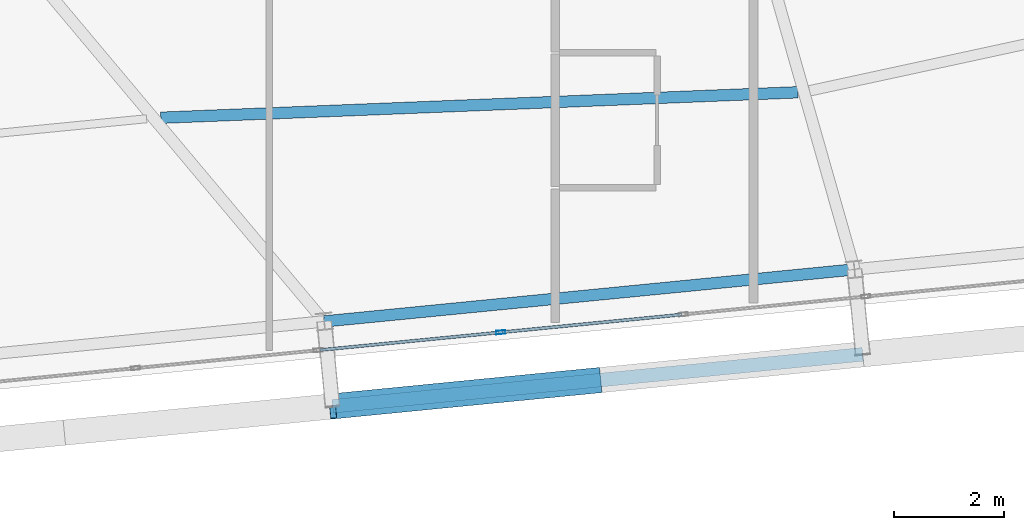
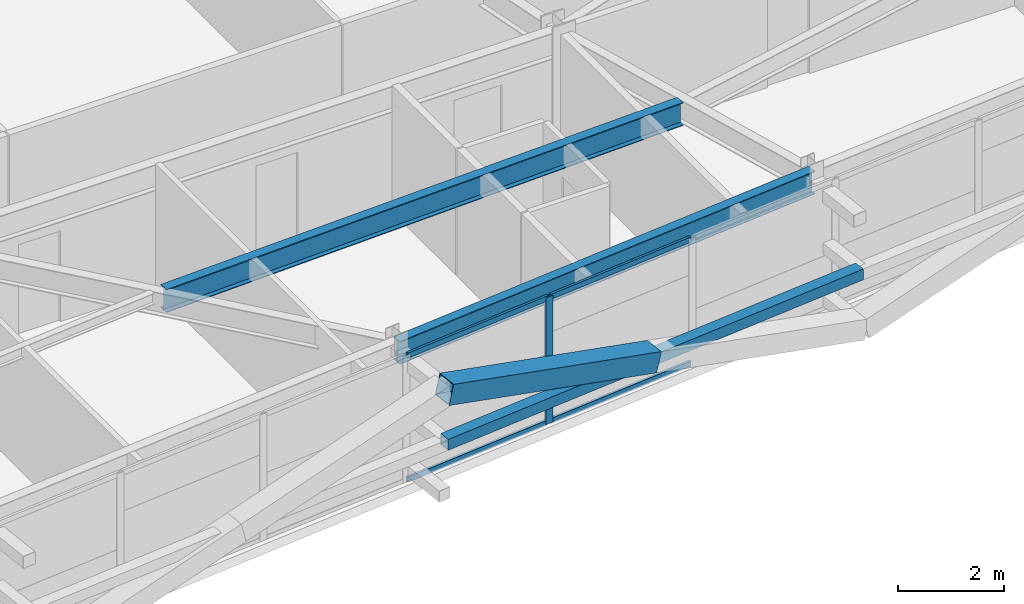
# One storey, part 11 of 52: 7 members, 2 beams, 1 element without a shape of its own.
"""IFC4 building model written with IfcOpenShell, lengths in metres."""

from ifc_helpers import new_model, si_unit, direction, frame, origin, origin_2d, place, context, subcontext, project, spatial, hollow_rectangle, i_section, extrude, source, transform, mapped, material, layer, layer_set, material_profile, profile_set, type_object, element, aggregate, save


model = new_model("IFC4")

# Units and contexts
model_context = context("Model", 3, precision=1e-05, world=origin(), true_north=direction((0.0, 1.0)))
body_context = subcontext(model_context, "Body", "Model", "MODEL_VIEW")
ifc_project = project(units=[si_unit("LENGTHUNIT", "METRE"), si_unit("AREAUNIT", "SQUARE_METRE"), si_unit("VOLUMEUNIT", "CUBIC_METRE"), si_unit("PLANEANGLEUNIT", "RADIAN"), si_unit("MASSUNIT", "GRAM", prefix="KILO")], contexts=[model_context])

# Site, building, storey
site_placement = place(None, origin())
site = spatial("IfcSite", under=ifc_project, at=site_placement, CompositionType="ELEMENT")
building_placement = place(site_placement, origin())
building = spatial("IfcBuilding", under=site, at=building_placement, Name="Taldren Reach Tower", CompositionType="ELEMENT")
storey_placement = place(building_placement, frame((0.0, 0.0, 96.60009765625)))
storey = spatial("IfcBuildingStorey", under=building, at=storey_placement, Name="L29", CompositionType="ELEMENT", Elevation=96.60009765625)

# Beams
ifc_material_1 = material(Name="Steel Gr 350 (350PLUS)", Category="steel")
ifc_material_profile_1 = material_profile(ifc_material_1, i_section(OverallWidth=0.208984375, OverallDepth=0.528076171875, WebThickness=0.009521484375, FlangeThickness=0.01318359375, at=origin_2d()), Name="530UB82.0")
ifc_profile_set_1 = profile_set([ifc_material_profile_1], Name="Steel Gr 350 (350PLUS)")
beam_type_1 = type_object("IfcBeamType", Name="SP-UB530B", PredefinedType="SPANDREL", material=ifc_profile_set_1)
shared_shape_1 = source(origin(), body_context, "Body", "SweptSolid", [
    extrude(i_section(OverallWidth=0.208984375, OverallDepth=0.528076171875, WebThickness=0.009521484375, FlangeThickness=0.01318359375, at=origin_2d()), origin(), (0.0, 0.0, 1.0), 9.679931640625),
])
beam_1_placement = place(storey_placement, frame((34.20166015625, 1.809326171875, 2.666015625), z_axis=(0.995227612658, 0.097580730699, 0.0), x_axis=(-0.097580730699, 0.995227612658, 0.0)))
element("IfcBeam", 1, at=beam_1_placement, inside=storey, type_object=beam_type_1, Name="Perimeter spandrel B2 S3-S4 L29", PredefinedType="SPANDREL", context=body_context, shape_type="MappedRepresentation", body=[
    mapped(shared_shape_1, transform((0.0, 0.0, 0.0), scale=1.0)),
])
ifc_material_profile_2 = material_profile(ifc_material_1, i_section(OverallWidth=0.208984375, OverallDepth=0.532958984375, WebThickness=0.01025390625, FlangeThickness=0.015625, at=origin_2d()), Name="530UB92.4")
ifc_profile_set_2 = profile_set([ifc_material_profile_2], Name="Steel Gr 350 (350PLUS)")
beam_type_2 = type_object("IfcBeamType", Name="BM-UB530A", PredefinedType="BEAM", material=ifc_profile_set_2)
shared_shape_2 = source(origin(), body_context, "Body", "SweptSolid", [
    extrude(i_section(OverallWidth=0.208984375, OverallDepth=0.532958984375, WebThickness=0.01025390625, FlangeThickness=0.015625, at=origin_2d()), origin(), (0.0, 0.0, 1.0), 11.586669921875),
])
beam_2_placement = place(storey_placement, frame((31.23291015625, 5.510009765625, 2.663330078125), z_axis=(0.999202506312, 0.039929329821, 0.0), x_axis=(-0.039929329821, 0.999202506312, 0.0)))
element("IfcBeam", 2, at=beam_2_placement, inside=storey, type_object=beam_type_2, Name="Secondary floor beam B2 J3 L29", PredefinedType="BEAM", context=body_context, shape_type="MappedRepresentation", body=[
    mapped(shared_shape_2, transform((0.0, 0.0, 0.0), scale=1.0)),
])

# Members
ifc_material_2 = material(Name="Steel Gr 450 (C450L0)", Category="steel")
ifc_material_profile_3 = material_profile(ifc_material_2, hollow_rectangle(XDim=0.4599609375, YDim=0.4599609375, WallThickness=0.01611328125, at=origin_2d()), Name="460x460x16.0SHS")
ifc_profile_set_3 = profile_set([ifc_material_profile_3], Name="Steel Gr 450 (C450L0)")
member_type_1 = type_object("IfcMemberType", Name="MB-EXO457", PredefinedType="BRACE", material=ifc_profile_set_3)
shared_shape_3 = source(origin(), body_context, "Body", "SweptSolid", [
    extrude(hollow_rectangle(XDim=0.4599609375, YDim=0.4599609375, WallThickness=0.01611328125, at=origin_2d()), origin(), (0.0, 0.0, 1.0), 4.990234375),
])
member_1_placement = place(storey_placement, frame((39.169921875, 0.739013671875, 1.434814453125), z_axis=(-0.965271056716, -0.094667992638, 0.243494883389), x_axis=(0.097605711627, -0.995225162995, 0.0)))
element("IfcMember", 3, at=member_1_placement, inside=storey, type_object=member_type_1, Name="Exoskeleton Diagrid Brace B2-S3 L29", PredefinedType="BRACE", context=body_context, shape_type="MappedRepresentation", body=[
    mapped(shared_shape_3, transform((0.0, 0.0, 0.0), scale=1.0)),
])
ifc_material_3 = material(Name="Steel Gr 350 (C350L0)", Category="steel")
ifc_material_profile_4 = material_profile(ifc_material_3, hollow_rectangle(XDim=0.25, YDim=0.25, WallThickness=0.010009765625, at=origin_2d()), Name="250x250x10.0SHS")
ifc_profile_set_4 = profile_set([ifc_material_profile_4], Name="Steel Gr 350 (C350L0)")
member_type_2 = type_object("IfcMemberType", Name="MB-POST250", PredefinedType="POST", material=ifc_profile_set_4)
shared_shape_4 = source(origin(), body_context, "Body", "SweptSolid", [
    extrude(hollow_rectangle(XDim=0.25, YDim=0.25, WallThickness=0.010009765625, at=origin_2d()), origin(), (0.0, 0.0, 1.0), 9.679931640625),
])
member_2_placement = place(storey_placement, frame((34.35302734375, 0.2666015625, 1.434814453125), z_axis=(0.995225162995, 0.097605711627, 0.0), x_axis=(-0.097605711627, 0.995225162995, 0.0)))
element("IfcMember", 4, at=member_2_placement, inside=storey, type_object=member_type_2, Name="Exoskeleton mid-height ring chord B2-S3 L29", PredefinedType="POST", context=body_context, shape_type="MappedRepresentation", body=[
    mapped(shared_shape_4, transform((0.0, 0.0, 0.0), scale=1.0)),
])

# Curtain wall, members
ifc_material_4 = material(Name="Aluminium and Low-E Glass Unitised System", Category="aluminium")
ifc_layer = layer(ifc_material_4, 0.159912109375)
ifc_layer_set = layer_set([ifc_layer], Name="Aluminium and Low-E Glass Unitised System")
curtain_wall_type = type_object("IfcCurtainWallType", Name="CW-SYS-3", PredefinedType="NOTDEFINED", material=ifc_layer_set)
curtain_wall_placement = place(storey_placement, origin())
curtain_wall = element("IfcCurtainWall", 5, at=curtain_wall_placement, inside=storey, type_object=curtain_wall_type, Name="Unitised curtain wall CW-L29-S", PredefinedType="NOTDEFINED")
ifc_material_5 = material(Name="Anodised Aluminium 6063-T6", Category="aluminium")
ifc_material_profile_5 = material_profile(ifc_material_5, hollow_rectangle(XDim=0.06494140625, YDim=0.1650390625, WallThickness=0.00390625, at=origin_2d()), Name="ALU-165x65x4RHS")
ifc_profile_set_5 = profile_set([ifc_material_profile_5], Name="Anodised Aluminium 6063-T6")
member_type_3 = type_object("IfcMemberType", Name="CW-MUL-165", PredefinedType="MULLION", material=ifc_profile_set_5)
shared_shape_5 = source(origin(), body_context, "Body", "SweptSolid", [
    extrude(hollow_rectangle(XDim=0.06494140625, YDim=0.1650390625, WallThickness=0.00390625, at=origin_2d()), origin(), (0.0, 0.0, 1.0), 2.929931640625),
])
member_3_placement = place(storey_placement, frame((37.40966796875, 1.611328125, 0.0), z_axis=(0.0, 0.0, 1.0), x_axis=(-0.097582999046, 0.995227390247, 0.0)))
member_3 = element("IfcMember", 6, at=member_3_placement, type_object=member_type_3, Name="CW-3 mullion 8", PredefinedType="MULLION", context=body_context, shape_type="MappedRepresentation", body=[
    mapped(shared_shape_5, transform((0.0, 0.0, 0.0), scale=1.0)),
])
ifc_material_profile_6 = material_profile(ifc_material_5, hollow_rectangle(XDim=0.054931640625, YDim=0.1201171875, WallThickness=0.0029296875, at=origin_2d()), Name="ALU-120x55x3RHS")
ifc_profile_set_6 = profile_set([ifc_material_profile_6], Name="Anodised Aluminium 6063-T6")
member_type_4 = type_object("IfcMemberType", Name="CW-TRN-135", PredefinedType="USERDEFINED", material=ifc_profile_set_6)
shared_shape_6 = source(origin(), body_context, "Body", "SweptSolid", [
    extrude(hollow_rectangle(XDim=0.054931640625, YDim=0.1201171875, WallThickness=0.0029296875, at=origin_2d()), origin(), (0.0, 0.0, 1.0), 3.268310546875),
])
member_4_placement = place(storey_placement, frame((34.124755859375, 1.289306640625, 0.02734375), z_axis=(0.99522980512, 0.097558367146, 0.0), x_axis=(-0.097558367146, 0.99522980512, 0.0)))
member_4 = element("IfcMember", 7, at=member_4_placement, type_object=member_type_4, Name="CW-3 transom 7.1", ObjectType="TRANSOM", PredefinedType="USERDEFINED", context=body_context, shape_type="MappedRepresentation", body=[
    mapped(shared_shape_6, transform((0.0, 0.0, 0.0), scale=1.0)),
])
member_5_placement = place(storey_placement, frame((34.124755859375, 1.289306640625, 2.90234375), z_axis=(0.99522980512, 0.097558367146, 0.0), x_axis=(-0.097558367146, 0.99522980512, 0.0)))
member_5 = element("IfcMember", 8, at=member_5_placement, type_object=member_type_4, Name="CW-3 transom 7.2", ObjectType="TRANSOM", PredefinedType="USERDEFINED", context=body_context, shape_type="MappedRepresentation", body=[
    mapped(shared_shape_6, transform((0.0, 0.0, 0.0), scale=1.0)),
])
member_6_placement = place(storey_placement, frame((37.442138671875, 1.614501953125, 0.02734375), z_axis=(0.995222549564, 0.097632355496, 0.0), x_axis=(-0.097632355496, 0.995222549564, 0.0)))
member_6 = element("IfcMember", 9, at=member_6_placement, type_object=member_type_4, Name="CW-3 transom 8.1", ObjectType="TRANSOM", PredefinedType="USERDEFINED", context=body_context, shape_type="MappedRepresentation", body=[
    mapped(shared_shape_6, transform((0.0, 0.0, 0.0), scale=1.0)),
])
member_7_placement = place(storey_placement, frame((37.442138671875, 1.614501953125, 2.90234375), z_axis=(0.995222549564, 0.097632355496, 0.0), x_axis=(-0.097632355496, 0.995222549564, 0.0)))
member_7 = element("IfcMember", 10, at=member_7_placement, type_object=member_type_4, Name="CW-3 transom 8.2", ObjectType="TRANSOM", PredefinedType="USERDEFINED", context=body_context, shape_type="MappedRepresentation", body=[
    mapped(shared_shape_6, transform((0.0, 0.0, 0.0), scale=1.0)),
])
aggregate(curtain_wall, [member_3, member_4, member_5, member_6, member_7])

save(model, "model.ifc")
